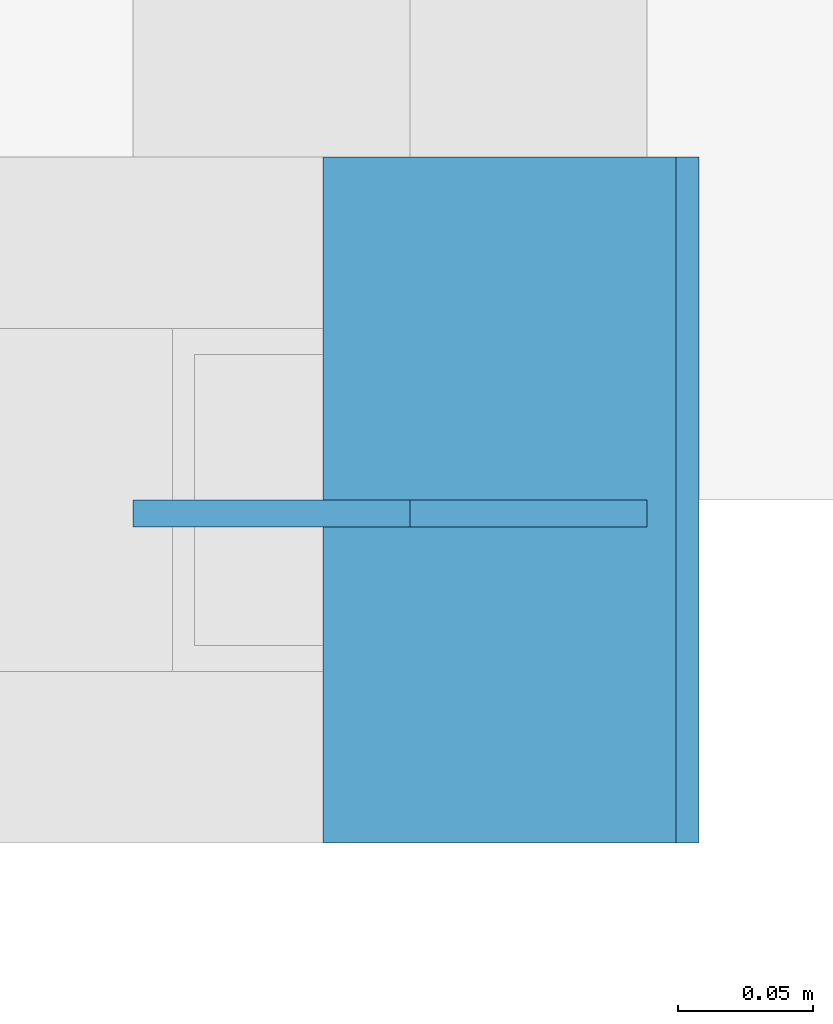
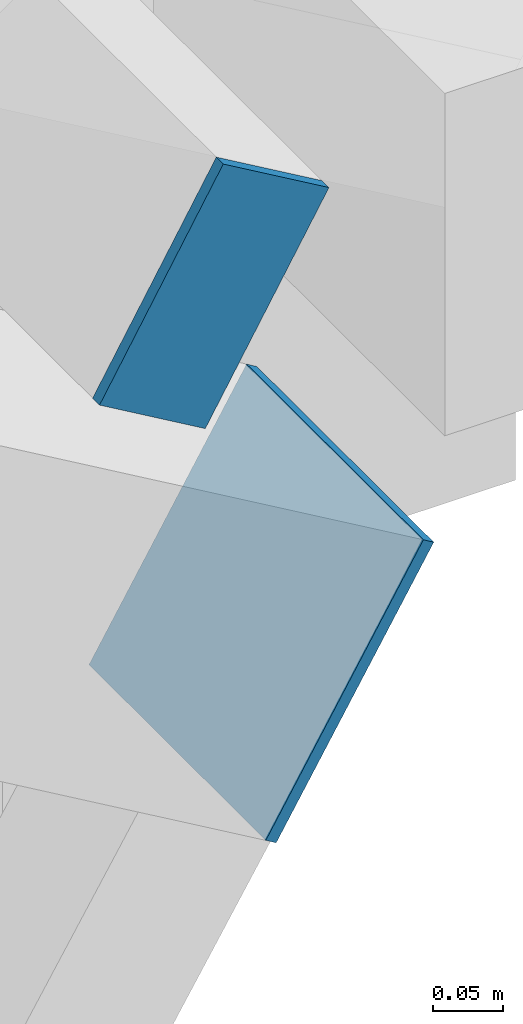
# One storey, part 115 of 127: 2 discrete accessories.
"""IFC4 building model written with IfcOpenShell, lengths in metres."""

import ifcopenshell
import ifcopenshell.guid

model = None  # the IFC model being written
_history = None  # IfcOwnerHistory: only IFC2X3 demands one
_inside = {}  # id of a spatial element -> (the spatial element, [elements in it])
_under = {}  # id of a project, library or spatial element -> (it, [spatial elements below it])
_declared = {}  # id of a project -> (the project, [libraries it declares])
_typed = {}  # id of a type object -> (the type object, [elements of that type])
_made_of = {}  # id of a material, layer set ... -> (it, [elements and type objects made of it])


def new_model(schema):
    """Start an empty IFC model of exactly this schema.

    Asked for "IFC4X3", IfcOpenShell would pick the latest addendum, in which some entities
    have other attributes; the version numbers below select the first issue.
    IFC2X3 requires an IfcOwnerHistory on every rooted entity: one is made here for all.
    """
    global model, _history
    if schema == "IFC4X3":
        model = ifcopenshell.file(schema_version=(4, 3, 0, 0))
    else:
        model = ifcopenshell.file(schema=schema)
    _inside.clear()
    _under.clear()
    _declared.clear()
    _typed.clear()
    _made_of.clear()
    _history = None
    if model.schema == "IFC2X3":
        org = make("IfcOrganization", Name="unknown")
        user = make(
            "IfcPersonAndOrganization",
            ThePerson=make("IfcPerson", FamilyName="unknown"),
            TheOrganization=org,
        )
        app = make(
            "IfcApplication",
            ApplicationDeveloper=org,
            Version="unknown",
            ApplicationFullName="unknown",
            ApplicationIdentifier="unknown",
        )
        _history = make(
            "IfcOwnerHistory",
            OwningUser=user,
            OwningApplication=app,
            ChangeAction="ADDED",
            CreationDate=0,
        )
    return model


def make(cls, **values):
    """One entity of the class cls with the attributes given. An attribute that is None is left unset."""
    return model.create_entity(
        cls, **{name: value for name, value in values.items() if value is not None}
    )


def rooted(cls, **values):
    """An entity with a GlobalId (a new one), such as an element, a storey or a relation."""
    return make(cls, GlobalId=ifcopenshell.guid.new(), OwnerHistory=_history, **values)


def si_unit(unit_type, name, prefix=None):
    """IfcSIUnit, for example si_unit("LENGTHUNIT", "METRE", prefix="MILLI")."""
    return make("IfcSIUnit", UnitType=unit_type, Prefix=prefix, Name=name)


def assignment(units):
    """IfcUnitAssignment: the units of a project."""
    return None if units is None else make("IfcUnitAssignment", Units=units)


def point(xyz):
    """IfcCartesianPoint."""
    return None if xyz is None else make("IfcCartesianPoint", Coordinates=xyz)


def direction(xyz):
    """IfcDirection."""
    return None if xyz is None else make("IfcDirection", DirectionRatios=xyz)


def frame(location, z_axis=None, x_axis=None):
    """IfcAxis2Placement3D, a coordinate frame: its origin and axes. An axis left out is left unset."""
    return make(
        "IfcAxis2Placement3D",
        Location=point(location),
        Axis=direction(z_axis),
        RefDirection=direction(x_axis),
    )


def frame_2d(location, x_axis=None):
    """IfcAxis2Placement2D, a coordinate frame in the plane: its origin and x axis."""
    return make(
        "IfcAxis2Placement2D", Location=point(location), RefDirection=direction(x_axis)
    )


def origin():
    """The frame at (0, 0, 0) with its axes left unset."""
    return frame((0.0, 0.0, 0.0))


def origin_2d():
    """The frame at (0, 0) in the plane with its x axis left unset."""
    return frame_2d((0.0, 0.0))


def place(relative_to, where):
    """IfcLocalPlacement: puts the frame where relative to a parent placement (None: the world)."""
    return make(
        "IfcLocalPlacement", PlacementRelTo=relative_to, RelativePlacement=where
    )


def context(
    kind, dimensions, precision=None, world=None, true_north=None, identifier=None
):
    """IfcGeometricRepresentationContext, for example the 3D "Model" context."""
    return make(
        "IfcGeometricRepresentationContext",
        ContextIdentifier=identifier,
        ContextType=kind,
        CoordinateSpaceDimension=dimensions,
        Precision=precision,
        WorldCoordinateSystem=world,
        TrueNorth=true_north,
    )


def subcontext(parent, identifier, kind, view, scale=None):
    """IfcGeometricRepresentationSubContext, for example "Body" below "Model"."""
    return make(
        "IfcGeometricRepresentationSubContext",
        ContextIdentifier=identifier,
        ContextType=kind,
        ParentContext=parent,
        TargetScale=scale,
        TargetView=view,
    )


def project(units=None, contexts=None):
    """IfcProject with its units and contexts."""
    return rooted(
        "IfcProject",
        Name="project",
        RepresentationContexts=contexts,
        UnitsInContext=assignment(units),
    )


def spatial(cls, under=None, at=None, **own):
    """A site, building, storey or space (cls), placed at a placement, below another one or the project."""
    s = rooted(cls, ObjectPlacement=at, **own)
    if under is not None:
        _under.setdefault(under.id(), (under, []))[1].append(s)
    return s


def profile(cls, at=None, kind="AREA", **sizes):
    """A parametric profile (cls). Its sizes go by their IFC names, for example OverallWidth=200.0."""
    return make(cls, ProfileType=kind, Position=at, **sizes)


def rectangle(**sizes):
    """IfcRectangleProfileDef."""
    return profile("IfcRectangleProfileDef", **sizes)


def extrude(swept, where, along, depth):
    """IfcExtrudedAreaSolid: the profile swept, set in the frame where, extruded along a direction by depth."""
    return make(
        "IfcExtrudedAreaSolid",
        SweptArea=swept,
        Position=where,
        ExtrudedDirection=direction(along),
        Depth=depth,
    )


def shape(context_of_items, identifier, shape_type, items):
    """IfcShapeRepresentation: the items that make up one representation, for example the "Body"."""
    return make(
        "IfcShapeRepresentation",
        ContextOfItems=context_of_items,
        RepresentationIdentifier=identifier,
        RepresentationType=shape_type,
        Items=items,
    )


def material(Name=None, Category=None):
    """IfcMaterial."""
    return make("IfcMaterial", Name=Name, Category=Category)


def material_profile(
    of_material, cross_section, Name=None, Category=None, Priority=None
):
    """IfcMaterialProfile: a cross section and its material."""
    return make(
        "IfcMaterialProfile",
        Name=Name,
        Material=of_material,
        Profile=cross_section,
        Priority=Priority,
        Category=Category,
    )


def profile_set(profiles, Name=None, composite=None):
    """IfcMaterialProfileSet."""
    return make(
        "IfcMaterialProfileSet",
        Name=Name,
        MaterialProfiles=profiles,
        CompositeProfile=composite,
    )


def made_of(thing, what):
    """Note that an element or type object is made of a material, layer set ...; save() writes the relation."""
    if what is not None:
        _made_of.setdefault(what.id(), (what, []))[1].append(thing)
    return thing


def type_object(cls, material=None, **own):
    """A type object (cls), such as IfcWallType, which elements share."""
    return made_of(rooted(cls, **own), material)


def element(
    cls,
    number,
    at=None,
    inside=None,
    cuts=None,
    type_object=None,
    material=None,
    context=None,
    identifier="Body",
    shape_type=None,
    held_by="IfcProductDefinitionShape",
    body=None,
    shapes=None,
    **own,
):
    """One element of the class cls, such as IfcWall. Its Tag is "e" and its number.

    at: its placement. inside: the storey or other place that contains it. cuts: it is an
    opening in that element (IfcRelVoidsElement). A single representation is given by context,
    identifier, shape_type and body (its items); several are given by shapes. held_by: the class
    of the entity that holds the representations. save() writes the other relations.
    """
    e = rooted(cls, Tag="e%d" % number, ObjectPlacement=at, **own)
    if body is not None:
        shapes = [shape(context, identifier, shape_type, body)]
    if shapes is not None:
        e.Representation = make(held_by, Representations=shapes)
    if inside is not None:
        _inside.setdefault(inside.id(), (inside, []))[1].append(e)
    if cuts is not None:
        rooted(
            "IfcRelVoidsElement", RelatingBuildingElement=cuts, RelatedOpeningElement=e
        )
    if type_object is not None:
        _typed.setdefault(type_object.id(), (type_object, []))[1].append(e)
    return made_of(e, material)


def aggregate(whole, parts):
    """IfcRelAggregates: a whole, such as a stair, and the parts it consists of."""
    return rooted("IfcRelAggregates", RelatingObject=whole, RelatedObjects=parts)


def save(model, path):
    """Write the relations noted so far, then the file.

    IfcRelAggregates (storeys below a building ...), IfcRelContainedInSpatialStructure (elements
    in a storey), IfcRelDefinesByType, IfcRelAssociatesMaterial and IfcRelDeclares: one each for
    every whole, place, type object, material and project.
    """
    for whole, parts in _under.values():
        aggregate(whole, parts)
    for where, things in _inside.values():
        rooted(
            "IfcRelContainedInSpatialStructure",
            RelatedElements=things,
            RelatingStructure=where,
        )
    for kind, things in _typed.values():
        rooted("IfcRelDefinesByType", RelatedObjects=things, RelatingType=kind)
    for what, things in _made_of.values():
        rooted("IfcRelAssociatesMaterial", RelatedObjects=things, RelatingMaterial=what)
    for by, libraries in _declared.values():
        rooted("IfcRelDeclares", RelatingContext=by, RelatedDefinitions=libraries)
    model.write(path)


model = new_model("IFC4")

# Units and contexts
model_context = context("Model", 3, precision=1e-05, world=origin(), true_north=direction((0.0, 1.0)))
body_context = subcontext(model_context, "Body", "Model", "MODEL_VIEW")
ifc_project = project(units=[si_unit("LENGTHUNIT", "METRE"), si_unit("AREAUNIT", "SQUARE_METRE"), si_unit("VOLUMEUNIT", "CUBIC_METRE"), si_unit("PLANEANGLEUNIT", "RADIAN"), si_unit("MASSUNIT", "GRAM", prefix="KILO")], contexts=[model_context])

# Site, building, storey
site_placement = place(None, origin())
site = spatial("IfcSite", under=ifc_project, at=site_placement, CompositionType="ELEMENT")
building_placement = place(site_placement, origin())
building = spatial("IfcBuilding", under=site, at=building_placement, Name="Verrick Yard Athletic Hall", CompositionType="ELEMENT")
storey_placement = place(building_placement, frame((0.0, 0.0, 14.0)))
storey = spatial("IfcBuildingStorey", under=building, at=storey_placement, Name="L03", CompositionType="ELEMENT", Elevation=14.0)

# Discrete accessories
ifc_material = material(Name="Structural steel 350W (CSA G40.21)", Category="steel")
ifc_material_profile_1 = material_profile(ifc_material, rectangle(XDim=0.1015625, YDim=0.203125, at=origin_2d()), Name="STR End cap plate 203x102x9.5")
ifc_profile_set_1 = profile_set([ifc_material_profile_1], Name="Structural steel 350W (CSA G40.21)")
discrete_accessory_type_1 = type_object("IfcDiscreteAccessoryType", Name="STR End cap plate 203x102x9.5", PredefinedType="BRACKET", material=ifc_profile_set_1)
discrete_accessory_1_placement = place(storey_placement, frame((170.60302734375, 71.989990234375, 1.99462890625), z_axis=(0.0, 1.0, 0.0), x_axis=(-0.86316809178, 0.0, 0.504916671673)))
element("IfcDiscreteAccessory", 1, at=discrete_accessory_1_placement, inside=storey, type_object=discrete_accessory_type_1, Name="End cap HB-PU-A-1-18 A", PredefinedType="BRACKET", context=body_context, shape_type="SweptSolid", body=[
    extrude(rectangle(XDim=0.1015625, YDim=0.203125, at=origin_2d()), origin(), (0.0, 0.0, 1.0), 0.010009765625),
])
ifc_material_profile_2 = material_profile(ifc_material, rectangle(XDim=0.25390625, YDim=0.25390625, at=origin_2d()), Name="STR End cap plate 254x254x9.5")
ifc_profile_set_2 = profile_set([ifc_material_profile_2], Name="Structural steel 350W (CSA G40.21)")
discrete_accessory_type_2 = type_object("IfcDiscreteAccessoryType", Name="STR End cap plate 254x254x9.5", PredefinedType="BRACKET", material=ifc_profile_set_2)
discrete_accessory_2_placement = place(storey_placement, frame((170.6435546875, 72.0, 1.706298828125), z_axis=(0.857492925713, 0.0, -0.514495755428), x_axis=(0.0, 1.0, 0.0)))
element("IfcDiscreteAccessory", 2, at=discrete_accessory_2_placement, inside=storey, type_object=discrete_accessory_type_2, Name="End cap Truss TA1 top chord 15 B", PredefinedType="BRACKET", context=body_context, shape_type="SweptSolid", body=[
    extrude(rectangle(XDim=0.25390625, YDim=0.25390625, at=origin_2d()), origin(), (0.0, 0.0, 1.0), 0.010009765625),
])

save(model, "model.ifc")
